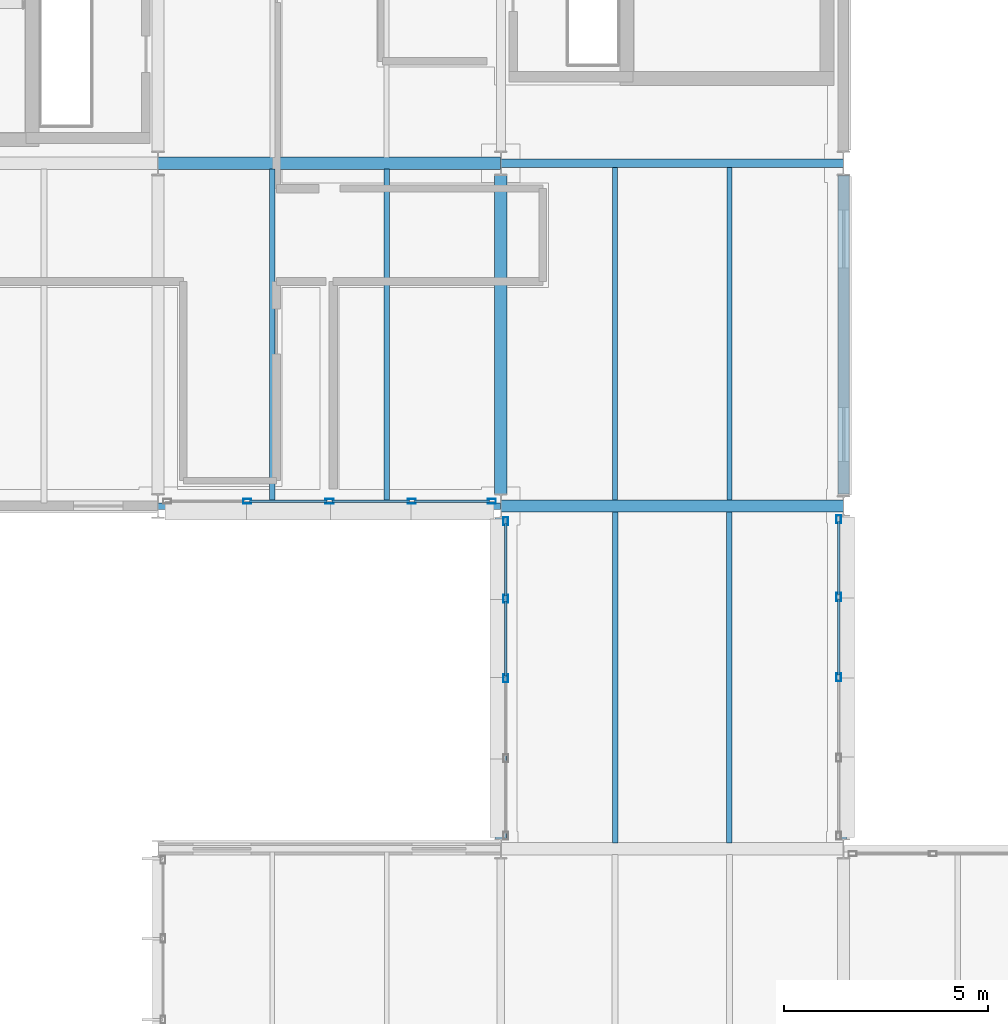
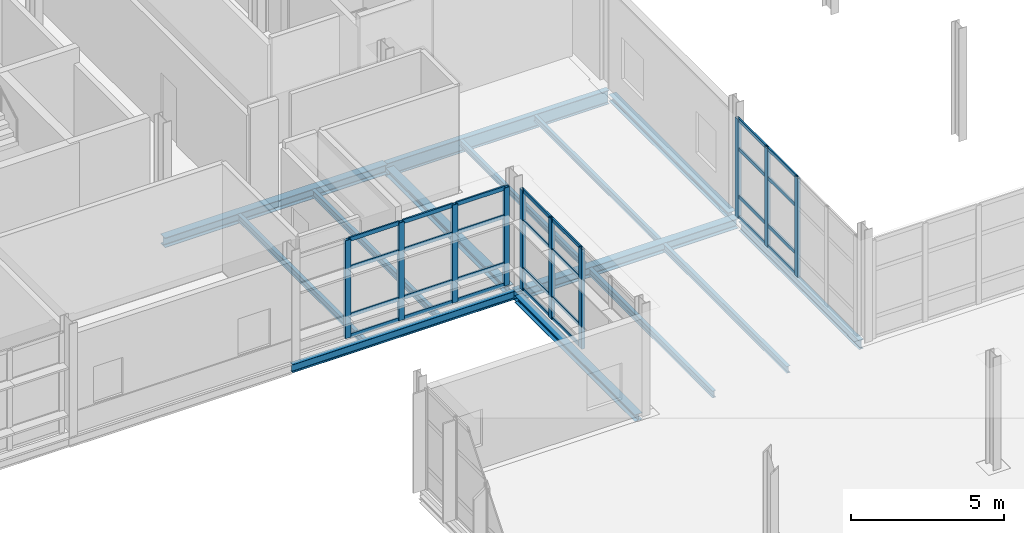
# One storey, part 79 of 129: 38 members, 14 beams, 3 elements without a shape of their own.
"""IFC4 building model written with IfcOpenShell, lengths in metres."""

from ifc_helpers import new_model, si_unit, direction, frame, origin, origin_2d, place, context, subcontext, project, spatial, hollow_rectangle, i_section, extrude, material, material_profile, profile_set, type_object, element, aggregate, save


model = new_model("IFC4")

# Units and contexts
model_context = context("Model", 3, precision=1e-05, world=origin(), true_north=direction((0.0, 1.0)))
body_context = subcontext(model_context, "Body", "Model", "MODEL_VIEW")
ifc_project = project(units=[si_unit("LENGTHUNIT", "METRE"), si_unit("AREAUNIT", "SQUARE_METRE"), si_unit("VOLUMEUNIT", "CUBIC_METRE"), si_unit("PLANEANGLEUNIT", "RADIAN"), si_unit("MASSUNIT", "GRAM", prefix="KILO")], contexts=[model_context])

# Site, building, storey
site_placement = place(None, origin())
site = spatial("IfcSite", under=ifc_project, at=site_placement, CompositionType="ELEMENT")
building_placement = place(site_placement, origin())
building = spatial("IfcBuilding", under=site, at=building_placement, Name="Mersafa Astral City Hall", CompositionType="ELEMENT")
storey_placement = place(building_placement, frame((0.0, 0.0, 5.39990234375)))
storey = spatial("IfcBuildingStorey", under=building, at=storey_placement, Name="L01", CompositionType="ELEMENT", Elevation=5.39990234375)

# Curtain wall, members
ifc_material_1 = material(Name="Anodised bronze aluminium framing", Category="aluminium")
curtain_wall_type_1 = type_object("IfcCurtainWallType", Name="ENV-CW-5", PredefinedType="USERDEFINED", material=ifc_material_1)
curtain_wall_1_placement = place(storey_placement, origin())
curtain_wall_1 = element("IfcCurtainWall", 1, at=curtain_wall_1_placement, inside=storey, type_object=curtain_wall_type_1, Name="L01 Unitised solar curtain wall 64", ObjectType="UNITISED CURTAIN WALL", PredefinedType="USERDEFINED")
ifc_material_profile_1 = material_profile(ifc_material_1, hollow_rectangle(XDim=0.1201171875, YDim=0.199951171875, WallThickness=0.008056640625, at=origin_2d()), Name="RHS 120x200x8")
ifc_profile_set_1 = profile_set([ifc_material_profile_1], Name="Anodised bronze aluminium framing")
member_type_1 = type_object("IfcMemberType", Name="ENV-CW-MUL-2", PredefinedType="MULLION", material=ifc_profile_set_1)
member_1_placement = place(storey_placement, frame((161.781005859375, 100.919921875, -0.001953125), z_axis=(0.0, 0.0, 1.0), x_axis=(0.0, 1.0, 0.0)))
member_1 = element("IfcMember", 2, at=member_1_placement, type_object=member_type_1, Name="CW-5 mullion 2", PredefinedType="MULLION", context=body_context, shape_type="SweptSolid", body=[
    extrude(hollow_rectangle(XDim=0.1201171875, YDim=0.199951171875, WallThickness=0.008056640625, at=origin_2d()), origin(), (0.0, 0.0, 1.0), 3.908935546875),
])
member_2_placement = place(storey_placement, frame((163.800048828125, 100.919921875, -0.001953125), z_axis=(0.0, 0.0, 1.0), x_axis=(0.0, 1.0, 0.0)))
member_2 = element("IfcMember", 3, at=member_2_placement, type_object=member_type_1, Name="CW-5 mullion 3", PredefinedType="MULLION", context=body_context, shape_type="SweptSolid", body=[
    extrude(hollow_rectangle(XDim=0.1201171875, YDim=0.199951171875, WallThickness=0.008056640625, at=origin_2d()), origin(), (0.0, 0.0, 1.0), 3.908935546875),
])
member_3_placement = place(storey_placement, frame((165.819091796875, 100.919921875, -0.001953125), z_axis=(0.0, 0.0, 1.0), x_axis=(0.0, 1.0, 0.0)))
member_3 = element("IfcMember", 4, at=member_3_placement, type_object=member_type_1, Name="CW-5 mullion 4", PredefinedType="MULLION", context=body_context, shape_type="SweptSolid", body=[
    extrude(hollow_rectangle(XDim=0.1201171875, YDim=0.199951171875, WallThickness=0.008056640625, at=origin_2d()), origin(), (0.0, 0.0, 1.0), 3.908935546875),
])
member_4_placement = place(storey_placement, frame((167.778076171875, 100.919921875, -0.001953125), z_axis=(0.0, 0.0, 1.0), x_axis=(0.0, 1.0, 0.0)))
member_4 = element("IfcMember", 5, at=member_4_placement, type_object=member_type_1, Name="CW-5 mullion 5", PredefinedType="MULLION", context=body_context, shape_type="SweptSolid", body=[
    extrude(hollow_rectangle(XDim=0.1201171875, YDim=0.199951171875, WallThickness=0.008056640625, at=origin_2d()), origin(), (0.0, 0.0, 1.0), 3.908935546875),
])

curtain_wall_type_2 = type_object("IfcCurtainWallType", Name="ENV-CW-6", PredefinedType="USERDEFINED", material=ifc_material_1)
curtain_wall_2_placement = place(storey_placement, origin())
curtain_wall_2 = element("IfcCurtainWall", 6, at=curtain_wall_2_placement, inside=storey, type_object=curtain_wall_type_2, Name="L01 Unitised solar curtain wall 65", ObjectType="UNITISED CURTAIN WALL", PredefinedType="USERDEFINED")
member_5_placement = place(storey_placement, frame((168.1201171875, 100.427978515625, -0.001953125), z_axis=(0.0, 0.0, 1.0), x_axis=(1.0, 0.0, 0.0)))
member_5 = element("IfcMember", 7, at=member_5_placement, type_object=member_type_1, Name="CW-6 mullion 1", PredefinedType="MULLION", context=body_context, shape_type="SweptSolid", body=[
    extrude(hollow_rectangle(XDim=0.1201171875, YDim=0.199951171875, WallThickness=0.008056640625, at=origin_2d()), origin(), (0.0, 0.0, 1.0), 3.989013671875),
])
member_6_placement = place(storey_placement, frame((168.1201171875, 98.531494140625, -0.001953125), z_axis=(0.0, 0.0, 1.0), x_axis=(1.0, 0.0, 0.0)))
member_6 = element("IfcMember", 8, at=member_6_placement, type_object=member_type_1, Name="CW-6 mullion 2", PredefinedType="MULLION", context=body_context, shape_type="SweptSolid", body=[
    extrude(hollow_rectangle(XDim=0.1201171875, YDim=0.199951171875, WallThickness=0.008056640625, at=origin_2d()), origin(), (0.0, 0.0, 1.0), 3.989013671875),
])
member_7_placement = place(storey_placement, frame((168.1201171875, 96.574951171875, -0.001953125), z_axis=(0.0, 0.0, 1.0), x_axis=(1.0, 0.0, 0.0)))
member_7 = element("IfcMember", 9, at=member_7_placement, type_object=member_type_1, Name="CW-6 mullion 3", PredefinedType="MULLION", context=body_context, shape_type="SweptSolid", body=[
    extrude(hollow_rectangle(XDim=0.1201171875, YDim=0.199951171875, WallThickness=0.008056640625, at=origin_2d()), origin(), (0.0, 0.0, 1.0), 3.989013671875),
])

curtain_wall_type_3 = type_object("IfcCurtainWallType", Name="ENV-CW-4", PredefinedType="USERDEFINED", material=ifc_material_1)
curtain_wall_3_placement = place(storey_placement, origin())
curtain_wall_3 = element("IfcCurtainWall", 10, at=curtain_wall_3_placement, inside=storey, type_object=curtain_wall_type_3, Name="L01 Unitised solar curtain wall 75", ObjectType="UNITISED CURTAIN WALL", PredefinedType="USERDEFINED")
member_8_placement = place(storey_placement, frame((176.280029296875, 96.60009765625, -0.001953125), z_axis=(0.0, 0.0, 1.0), x_axis=(-1.0, 0.0, 0.0)))
member_8 = element("IfcMember", 11, at=member_8_placement, type_object=member_type_1, Name="CW-4 mullion 3", PredefinedType="MULLION", context=body_context, shape_type="SweptSolid", body=[
    extrude(hollow_rectangle(XDim=0.1201171875, YDim=0.199951171875, WallThickness=0.008056640625, at=origin_2d()), origin(), (0.0, 0.0, 1.0), 3.93896484375),
])
member_9_placement = place(storey_placement, frame((176.280029296875, 98.569091796875, -0.001953125), z_axis=(0.0, 0.0, 1.0), x_axis=(-1.0, 0.0, 0.0)))
member_9 = element("IfcMember", 12, at=member_9_placement, type_object=member_type_1, Name="CW-4 mullion 4", PredefinedType="MULLION", context=body_context, shape_type="SweptSolid", body=[
    extrude(hollow_rectangle(XDim=0.1201171875, YDim=0.199951171875, WallThickness=0.008056640625, at=origin_2d()), origin(), (0.0, 0.0, 1.0), 3.93896484375),
])
member_10_placement = place(storey_placement, frame((176.280029296875, 100.47802734375, -0.001953125), z_axis=(0.0, 0.0, 1.0), x_axis=(-1.0, 0.0, 0.0)))
member_10 = element("IfcMember", 13, at=member_10_placement, type_object=member_type_1, Name="CW-4 mullion 5", PredefinedType="MULLION", context=body_context, shape_type="SweptSolid", body=[
    extrude(hollow_rectangle(XDim=0.1201171875, YDim=0.199951171875, WallThickness=0.008056640625, at=origin_2d()), origin(), (0.0, 0.0, 1.0), 3.93896484375),
])

# Member
ifc_material_profile_2 = material_profile(ifc_material_1, hollow_rectangle(XDim=0.06005859375, YDim=0.139892578125, WallThickness=0.00390625, at=origin_2d()), Name="RHS 60x140x4")
ifc_profile_set_2 = profile_set([ifc_material_profile_2], Name="Anodised bronze aluminium framing")
member_type_2 = type_object("IfcMemberType", Name="ENV-CW-TRN-1", PredefinedType="USERDEFINED", material=ifc_profile_set_2)
member_11_placement = place(storey_placement, frame((168.1201171875, 100.367919921875, 0.028076171875), z_axis=(0.0, -1.0, 0.0), x_axis=(1.0, 0.0, 0.0)))
member_11 = element("IfcMember", 14, at=member_11_placement, type_object=member_type_2, Name="CW-6 transom 1.1", ObjectType="TRANSOM", PredefinedType="USERDEFINED", context=body_context, shape_type="SweptSolid", body=[
    extrude(hollow_rectangle(XDim=0.06005859375, YDim=0.139892578125, WallThickness=0.00390625, at=origin_2d()), origin(), (0.0, 0.0, 1.0), 1.7763671875),
])

member_12_placement = place(storey_placement, frame((168.1201171875, 100.367919921875, 0.85009765625), z_axis=(0.0, -1.0, 0.0), x_axis=(1.0, 0.0, 0.0)))
member_12 = element("IfcMember", 15, at=member_12_placement, type_object=member_type_2, Name="CW-6 transom 1.2", ObjectType="TRANSOM", PredefinedType="USERDEFINED", context=body_context, shape_type="SweptSolid", body=[
    extrude(hollow_rectangle(XDim=0.06005859375, YDim=0.139892578125, WallThickness=0.00390625, at=origin_2d()), origin(), (0.0, 0.0, 1.0), 1.7763671875),
])

member_13_placement = place(storey_placement, frame((168.1201171875, 100.367919921875, 2.75), z_axis=(0.0, -1.0, 0.0), x_axis=(1.0, 0.0, 0.0)))
member_13 = element("IfcMember", 16, at=member_13_placement, type_object=member_type_2, Name="CW-6 transom 1.3", ObjectType="TRANSOM", PredefinedType="USERDEFINED", context=body_context, shape_type="SweptSolid", body=[
    extrude(hollow_rectangle(XDim=0.06005859375, YDim=0.139892578125, WallThickness=0.00390625, at=origin_2d()), origin(), (0.0, 0.0, 1.0), 1.7763671875),
])

member_14_placement = place(storey_placement, frame((168.1201171875, 100.367919921875, 3.95703125), z_axis=(0.0, -1.0, 0.0), x_axis=(1.0, 0.0, 0.0)))
member_14 = element("IfcMember", 17, at=member_14_placement, type_object=member_type_2, Name="CW-6 transom 1.4", ObjectType="TRANSOM", PredefinedType="USERDEFINED", context=body_context, shape_type="SweptSolid", body=[
    extrude(hollow_rectangle(XDim=0.06005859375, YDim=0.139892578125, WallThickness=0.00390625, at=origin_2d()), origin(), (0.0, 0.0, 1.0), 1.7763671875),
])

member_15_placement = place(storey_placement, frame((168.1201171875, 98.471435546875, 0.028076171875), z_axis=(0.0, -1.0, 0.0), x_axis=(1.0, 0.0, 0.0)))
member_15 = element("IfcMember", 18, at=member_15_placement, type_object=member_type_2, Name="CW-6 transom 2.1", ObjectType="TRANSOM", PredefinedType="USERDEFINED", context=body_context, shape_type="SweptSolid", body=[
    extrude(hollow_rectangle(XDim=0.06005859375, YDim=0.139892578125, WallThickness=0.00390625, at=origin_2d()), origin(), (0.0, 0.0, 1.0), 1.83642578125),
])

member_16_placement = place(storey_placement, frame((168.1201171875, 98.471435546875, 0.85009765625), z_axis=(0.0, -1.0, 0.0), x_axis=(1.0, 0.0, 0.0)))
member_16 = element("IfcMember", 19, at=member_16_placement, type_object=member_type_2, Name="CW-6 transom 2.2", ObjectType="TRANSOM", PredefinedType="USERDEFINED", context=body_context, shape_type="SweptSolid", body=[
    extrude(hollow_rectangle(XDim=0.06005859375, YDim=0.139892578125, WallThickness=0.00390625, at=origin_2d()), origin(), (0.0, 0.0, 1.0), 1.83642578125),
])

member_17_placement = place(storey_placement, frame((168.1201171875, 98.471435546875, 2.75), z_axis=(0.0, -1.0, 0.0), x_axis=(1.0, 0.0, 0.0)))
member_17 = element("IfcMember", 20, at=member_17_placement, type_object=member_type_2, Name="CW-6 transom 2.3", ObjectType="TRANSOM", PredefinedType="USERDEFINED", context=body_context, shape_type="SweptSolid", body=[
    extrude(hollow_rectangle(XDim=0.06005859375, YDim=0.139892578125, WallThickness=0.00390625, at=origin_2d()), origin(), (0.0, 0.0, 1.0), 1.83642578125),
])

member_18_placement = place(storey_placement, frame((168.1201171875, 98.471435546875, 3.95703125), z_axis=(0.0, -1.0, 0.0), x_axis=(1.0, 0.0, 0.0)))
member_18 = element("IfcMember", 21, at=member_18_placement, type_object=member_type_2, Name="CW-6 transom 2.4", ObjectType="TRANSOM", PredefinedType="USERDEFINED", context=body_context, shape_type="SweptSolid", body=[
    extrude(hollow_rectangle(XDim=0.06005859375, YDim=0.139892578125, WallThickness=0.00390625, at=origin_2d()), origin(), (0.0, 0.0, 1.0), 1.83642578125),
])

aggregate(curtain_wall_2, [member_5, member_6, member_7, member_11, member_12, member_13, member_14, member_15, member_16, member_17, member_18])

member_19_placement = place(storey_placement, frame((176.280029296875, 96.659912109375, 0.028076171875), z_axis=(0.0, 1.0, 0.0), x_axis=(-1.0, 0.0, 0.0)))
member_19 = element("IfcMember", 22, at=member_19_placement, type_object=member_type_2, Name="CW-4 transom 3.1", ObjectType="TRANSOM", PredefinedType="USERDEFINED", context=body_context, shape_type="SweptSolid", body=[
    extrude(hollow_rectangle(XDim=0.06005859375, YDim=0.139892578125, WallThickness=0.00390625, at=origin_2d()), origin(), (0.0, 0.0, 1.0), 1.84912109375),
])

member_20_placement = place(storey_placement, frame((176.280029296875, 96.659912109375, 0.85009765625), z_axis=(0.0, 1.0, 0.0), x_axis=(-1.0, 0.0, 0.0)))
member_20 = element("IfcMember", 23, at=member_20_placement, type_object=member_type_2, Name="CW-4 transom 3.2", ObjectType="TRANSOM", PredefinedType="USERDEFINED", context=body_context, shape_type="SweptSolid", body=[
    extrude(hollow_rectangle(XDim=0.06005859375, YDim=0.139892578125, WallThickness=0.00390625, at=origin_2d()), origin(), (0.0, 0.0, 1.0), 1.84912109375),
])

member_21_placement = place(storey_placement, frame((176.280029296875, 96.659912109375, 2.75), z_axis=(0.0, 1.0, 0.0), x_axis=(-1.0, 0.0, 0.0)))
member_21 = element("IfcMember", 24, at=member_21_placement, type_object=member_type_2, Name="CW-4 transom 3.3", ObjectType="TRANSOM", PredefinedType="USERDEFINED", context=body_context, shape_type="SweptSolid", body=[
    extrude(hollow_rectangle(XDim=0.06005859375, YDim=0.139892578125, WallThickness=0.00390625, at=origin_2d()), origin(), (0.0, 0.0, 1.0), 1.84912109375),
])

member_22_placement = place(storey_placement, frame((176.280029296875, 96.659912109375, 3.906982421875), z_axis=(0.0, 1.0, 0.0), x_axis=(-1.0, 0.0, 0.0)))
member_22 = element("IfcMember", 25, at=member_22_placement, type_object=member_type_2, Name="CW-4 transom 3.4", ObjectType="TRANSOM", PredefinedType="USERDEFINED", context=body_context, shape_type="SweptSolid", body=[
    extrude(hollow_rectangle(XDim=0.06005859375, YDim=0.139892578125, WallThickness=0.00390625, at=origin_2d()), origin(), (0.0, 0.0, 1.0), 1.84912109375),
])

member_23_placement = place(storey_placement, frame((176.280029296875, 98.62890625, 0.028076171875), z_axis=(0.0, 1.0, 0.0), x_axis=(-1.0, 0.0, 0.0)))
member_23 = element("IfcMember", 26, at=member_23_placement, type_object=member_type_2, Name="CW-4 transom 4.1", ObjectType="TRANSOM", PredefinedType="USERDEFINED", context=body_context, shape_type="SweptSolid", body=[
    extrude(hollow_rectangle(XDim=0.06005859375, YDim=0.139892578125, WallThickness=0.00390625, at=origin_2d()), origin(), (0.0, 0.0, 1.0), 1.7890625),
])

member_24_placement = place(storey_placement, frame((176.280029296875, 98.62890625, 0.85009765625), z_axis=(0.0, 1.0, 0.0), x_axis=(-1.0, 0.0, 0.0)))
member_24 = element("IfcMember", 27, at=member_24_placement, type_object=member_type_2, Name="CW-4 transom 4.2", ObjectType="TRANSOM", PredefinedType="USERDEFINED", context=body_context, shape_type="SweptSolid", body=[
    extrude(hollow_rectangle(XDim=0.06005859375, YDim=0.139892578125, WallThickness=0.00390625, at=origin_2d()), origin(), (0.0, 0.0, 1.0), 1.7890625),
])

member_25_placement = place(storey_placement, frame((176.280029296875, 98.62890625, 2.75), z_axis=(0.0, 1.0, 0.0), x_axis=(-1.0, 0.0, 0.0)))
member_25 = element("IfcMember", 28, at=member_25_placement, type_object=member_type_2, Name="CW-4 transom 4.3", ObjectType="TRANSOM", PredefinedType="USERDEFINED", context=body_context, shape_type="SweptSolid", body=[
    extrude(hollow_rectangle(XDim=0.06005859375, YDim=0.139892578125, WallThickness=0.00390625, at=origin_2d()), origin(), (0.0, 0.0, 1.0), 1.7890625),
])

member_26_placement = place(storey_placement, frame((176.280029296875, 98.62890625, 3.906982421875), z_axis=(0.0, 1.0, 0.0), x_axis=(-1.0, 0.0, 0.0)))
member_26 = element("IfcMember", 29, at=member_26_placement, type_object=member_type_2, Name="CW-4 transom 4.4", ObjectType="TRANSOM", PredefinedType="USERDEFINED", context=body_context, shape_type="SweptSolid", body=[
    extrude(hollow_rectangle(XDim=0.06005859375, YDim=0.139892578125, WallThickness=0.00390625, at=origin_2d()), origin(), (0.0, 0.0, 1.0), 1.7890625),
])

aggregate(curtain_wall_3, [member_8, member_9, member_10, member_19, member_20, member_21, member_22, member_23, member_24, member_25, member_26])

ifc_material_profile_3 = material_profile(ifc_material_1, hollow_rectangle(XDim=0.06005859375, YDim=0.159912109375, WallThickness=0.00390625, at=origin_2d()), Name="RHS 60x160x4")
ifc_profile_set_3 = profile_set([ifc_material_profile_3], Name="Anodised bronze aluminium framing")
member_type_3 = type_object("IfcMemberType", Name="ENV-CW-TRN-2", PredefinedType="USERDEFINED", material=ifc_profile_set_3)
member_27_placement = place(storey_placement, frame((161.841064453125, 100.919921875, 0.028076171875), z_axis=(1.0, 0.0, 0.0), x_axis=(0.0, 1.0, 0.0)))
member_27 = element("IfcMember", 30, at=member_27_placement, type_object=member_type_3, Name="CW-5 transom 2.1", ObjectType="TRANSOM", PredefinedType="USERDEFINED", context=body_context, shape_type="SweptSolid", body=[
    extrude(hollow_rectangle(XDim=0.06005859375, YDim=0.159912109375, WallThickness=0.00390625, at=origin_2d()), origin(), (0.0, 0.0, 1.0), 1.89892578125),
])

member_28_placement = place(storey_placement, frame((161.841064453125, 100.919921875, 0.85009765625), z_axis=(1.0, 0.0, 0.0), x_axis=(0.0, 1.0, 0.0)))
member_28 = element("IfcMember", 31, at=member_28_placement, type_object=member_type_3, Name="CW-5 transom 2.2", ObjectType="TRANSOM", PredefinedType="USERDEFINED", context=body_context, shape_type="SweptSolid", body=[
    extrude(hollow_rectangle(XDim=0.06005859375, YDim=0.159912109375, WallThickness=0.00390625, at=origin_2d()), origin(), (0.0, 0.0, 1.0), 1.89892578125),
])

member_29_placement = place(storey_placement, frame((161.841064453125, 100.919921875, 2.75), z_axis=(1.0, 0.0, 0.0), x_axis=(0.0, 1.0, 0.0)))
member_29 = element("IfcMember", 32, at=member_29_placement, type_object=member_type_3, Name="CW-5 transom 2.3", ObjectType="TRANSOM", PredefinedType="USERDEFINED", context=body_context, shape_type="SweptSolid", body=[
    extrude(hollow_rectangle(XDim=0.06005859375, YDim=0.159912109375, WallThickness=0.00390625, at=origin_2d()), origin(), (0.0, 0.0, 1.0), 1.89892578125),
])

member_30_placement = place(storey_placement, frame((161.841064453125, 100.919921875, 3.877197265625), z_axis=(1.0, 0.0, 0.0), x_axis=(0.0, 1.0, 0.0)))
member_30 = element("IfcMember", 33, at=member_30_placement, type_object=member_type_3, Name="CW-5 transom 2.4", ObjectType="TRANSOM", PredefinedType="USERDEFINED", context=body_context, shape_type="SweptSolid", body=[
    extrude(hollow_rectangle(XDim=0.06005859375, YDim=0.159912109375, WallThickness=0.00390625, at=origin_2d()), origin(), (0.0, 0.0, 1.0), 1.89892578125),
])

member_31_placement = place(storey_placement, frame((163.860107421875, 100.919921875, 0.028076171875), z_axis=(1.0, 0.0, 0.0), x_axis=(0.0, 1.0, 0.0)))
member_31 = element("IfcMember", 34, at=member_31_placement, type_object=member_type_3, Name="CW-5 transom 3.1", ObjectType="TRANSOM", PredefinedType="USERDEFINED", context=body_context, shape_type="SweptSolid", body=[
    extrude(hollow_rectangle(XDim=0.06005859375, YDim=0.159912109375, WallThickness=0.00390625, at=origin_2d()), origin(), (0.0, 0.0, 1.0), 1.89892578125),
])

member_32_placement = place(storey_placement, frame((163.860107421875, 100.919921875, 0.85009765625), z_axis=(1.0, 0.0, 0.0), x_axis=(0.0, 1.0, 0.0)))
member_32 = element("IfcMember", 35, at=member_32_placement, type_object=member_type_3, Name="CW-5 transom 3.2", ObjectType="TRANSOM", PredefinedType="USERDEFINED", context=body_context, shape_type="SweptSolid", body=[
    extrude(hollow_rectangle(XDim=0.06005859375, YDim=0.159912109375, WallThickness=0.00390625, at=origin_2d()), origin(), (0.0, 0.0, 1.0), 1.89892578125),
])

member_33_placement = place(storey_placement, frame((163.860107421875, 100.919921875, 2.75), z_axis=(1.0, 0.0, 0.0), x_axis=(0.0, 1.0, 0.0)))
member_33 = element("IfcMember", 36, at=member_33_placement, type_object=member_type_3, Name="CW-5 transom 3.3", ObjectType="TRANSOM", PredefinedType="USERDEFINED", context=body_context, shape_type="SweptSolid", body=[
    extrude(hollow_rectangle(XDim=0.06005859375, YDim=0.159912109375, WallThickness=0.00390625, at=origin_2d()), origin(), (0.0, 0.0, 1.0), 1.89892578125),
])

member_34_placement = place(storey_placement, frame((163.860107421875, 100.919921875, 3.877197265625), z_axis=(1.0, 0.0, 0.0), x_axis=(0.0, 1.0, 0.0)))
member_34 = element("IfcMember", 37, at=member_34_placement, type_object=member_type_3, Name="CW-5 transom 3.4", ObjectType="TRANSOM", PredefinedType="USERDEFINED", context=body_context, shape_type="SweptSolid", body=[
    extrude(hollow_rectangle(XDim=0.06005859375, YDim=0.159912109375, WallThickness=0.00390625, at=origin_2d()), origin(), (0.0, 0.0, 1.0), 1.89892578125),
])

member_35_placement = place(storey_placement, frame((165.87890625, 100.919921875, 0.028076171875), z_axis=(1.0, 0.0, 0.0), x_axis=(0.0, 1.0, 0.0)))
member_35 = element("IfcMember", 38, at=member_35_placement, type_object=member_type_3, Name="CW-5 transom 4.1", ObjectType="TRANSOM", PredefinedType="USERDEFINED", context=body_context, shape_type="SweptSolid", body=[
    extrude(hollow_rectangle(XDim=0.06005859375, YDim=0.159912109375, WallThickness=0.00390625, at=origin_2d()), origin(), (0.0, 0.0, 1.0), 1.839111328125),
])

member_36_placement = place(storey_placement, frame((165.87890625, 100.919921875, 0.85009765625), z_axis=(1.0, 0.0, 0.0), x_axis=(0.0, 1.0, 0.0)))
member_36 = element("IfcMember", 39, at=member_36_placement, type_object=member_type_3, Name="CW-5 transom 4.2", ObjectType="TRANSOM", PredefinedType="USERDEFINED", context=body_context, shape_type="SweptSolid", body=[
    extrude(hollow_rectangle(XDim=0.06005859375, YDim=0.159912109375, WallThickness=0.00390625, at=origin_2d()), origin(), (0.0, 0.0, 1.0), 1.839111328125),
])

member_37_placement = place(storey_placement, frame((165.87890625, 100.919921875, 2.75), z_axis=(1.0, 0.0, 0.0), x_axis=(0.0, 1.0, 0.0)))
member_37 = element("IfcMember", 40, at=member_37_placement, type_object=member_type_3, Name="CW-5 transom 4.3", ObjectType="TRANSOM", PredefinedType="USERDEFINED", context=body_context, shape_type="SweptSolid", body=[
    extrude(hollow_rectangle(XDim=0.06005859375, YDim=0.159912109375, WallThickness=0.00390625, at=origin_2d()), origin(), (0.0, 0.0, 1.0), 1.839111328125),
])

member_38_placement = place(storey_placement, frame((165.87890625, 100.919921875, 3.877197265625), z_axis=(1.0, 0.0, 0.0), x_axis=(0.0, 1.0, 0.0)))
member_38 = element("IfcMember", 41, at=member_38_placement, type_object=member_type_3, Name="CW-5 transom 4.4", ObjectType="TRANSOM", PredefinedType="USERDEFINED", context=body_context, shape_type="SweptSolid", body=[
    extrude(hollow_rectangle(XDim=0.06005859375, YDim=0.159912109375, WallThickness=0.00390625, at=origin_2d()), origin(), (0.0, 0.0, 1.0), 1.839111328125),
])

aggregate(curtain_wall_1, [member_1, member_2, member_3, member_4, member_27, member_28, member_29, member_30, member_31, member_32, member_33, member_34, member_35, member_36, member_37, member_38])

# Beams
ifc_material_2 = material(Name="Steel S355", Category="steel")
ifc_material_profile_4 = material_profile(ifc_material_2, i_section(OverallWidth=0.300048828125, OverallDepth=0.31005859375, WebThickness=0.009033203125, FlangeThickness=0.015380859375, FilletRadius=0.027099609375, at=origin_2d()), Name="HEA 320")
ifc_profile_set_4 = profile_set([ifc_material_profile_4], Name="Steel S355")
beam_type_1 = type_object("IfcBeamType", Name="STR-BM-HEA320", PredefinedType="BEAM", material=ifc_profile_set_4)
beam_1_placement = place(storey_placement, frame((168.0, 101.094970703125, -0.3798828125), z_axis=(0.0, 1.0, 0.0), x_axis=(-1.0, 0.0, 0.0)))
element("IfcBeam", 42, at=beam_1_placement, inside=storey, type_object=beam_type_1, Name="L01 Primary girder Y 20-12", PredefinedType="BEAM", context=body_context, shape_type="SweptSolid", body=[
    extrude(i_section(OverallWidth=0.300048828125, OverallDepth=0.31005859375, WebThickness=0.009033203125, FlangeThickness=0.015380859375, FilletRadius=0.027099609375, at=origin_2d()), origin(), (0.0, 0.0, 1.0), 7.81005859375),
])
ifc_material_profile_5 = material_profile(ifc_material_2, i_section(OverallWidth=0.300048828125, OverallDepth=0.389892578125, WebThickness=0.010986328125, FlangeThickness=0.01904296875, FilletRadius=0.027099609375, at=origin_2d()), Name="HEA 400")
ifc_profile_set_5 = profile_set([ifc_material_profile_5], Name="Steel S355")
beam_type_2 = type_object("IfcBeamType", Name="STR-BM-HEA400", PredefinedType="BEAM", material=ifc_profile_set_5)
for number, where, z_axis, x_axis, name in (
    (43, (168.0029296875, 100.800048828125, -0.419921875), (1.0, 0.0, 0.0), (0.0, 1.0, 0.0), "L01 Primary girder X 20-12"),
    (44, (159.60302734375, 109.199951171875, -0.419921875), (1.0, 0.0, 0.0), (0.0, 1.0, 0.0), "L01 Primary girder X 19-13"),
):
    element("IfcBeam", number, at=place(storey_placement, frame(where, z_axis=z_axis, x_axis=x_axis)), inside=storey, type_object=beam_type_2, Name=name, PredefinedType="BEAM", context=body_context, shape_type="SweptSolid", body=[
        extrude(i_section(OverallWidth=0.300048828125, OverallDepth=0.389892578125, WebThickness=0.010986328125, FlangeThickness=0.01904296875, FilletRadius=0.027099609375, at=origin_2d()), origin(), (0.0, 0.0, 1.0), 8.39404296875),
    ])
ifc_material_profile_6 = material_profile(ifc_material_2, i_section(OverallWidth=0.2099609375, OverallDepth=0.550048828125, WebThickness=0.010986328125, FlangeThickness=0.01708984375, FilletRadius=0.02392578125, at=origin_2d()), Name="IPE 550")
ifc_profile_set_6 = profile_set([ifc_material_profile_6], Name="Steel S355")
beam_type_3 = type_object("IfcBeamType", Name="STR-BM-IPE550", PredefinedType="BEAM", material=ifc_profile_set_6)
beam_2_placement = place(storey_placement, frame((168.0029296875, 109.199951171875, -0.5), z_axis=(1.0, 0.0, 0.0), x_axis=(0.0, 1.0, 0.0)))
element("IfcBeam", 45, at=beam_2_placement, inside=storey, type_object=beam_type_3, Name="L01 Primary girder X 20-13", PredefinedType="BEAM", context=body_context, shape_type="SweptSolid", body=[
    extrude(i_section(OverallWidth=0.2099609375, OverallDepth=0.550048828125, WebThickness=0.010986328125, FlangeThickness=0.01708984375, FilletRadius=0.02392578125, at=origin_2d()), origin(), (0.0, 0.0, 1.0), 8.39404296875),
])
ifc_material_profile_7 = material_profile(ifc_material_2, i_section(OverallWidth=0.1201171875, OverallDepth=0.239990234375, WebThickness=0.006103515625, FlangeThickness=0.009765625, FilletRadius=0.014892578125, at=origin_2d()), Name="IPE 240")
ifc_profile_set_7 = profile_set([ifc_material_profile_7], Name="Steel S355")
beam_type_4 = type_object("IfcBeamType", Name="STR-BM-JOIST-IPE240", PredefinedType="JOIST", material=ifc_profile_set_7)
for number, where, z_axis, x_axis, name in (
    (46, (170.800048828125, 100.945068359375, -0.344970703125), (0.0, 1.0, 0.0), (-1.0, 0.0, 0.0), "L01 Composite secondary floor joist 387"),
    (47, (173.60009765625, 100.945068359375, -0.344970703125), (0.0, 1.0, 0.0), (-1.0, 0.0, 0.0), "L01 Composite secondary floor joist 388"),
):
    element("IfcBeam", number, at=place(storey_placement, frame(where, z_axis=z_axis, x_axis=x_axis)), inside=storey, type_object=beam_type_4, Name=name, PredefinedType="JOIST", context=body_context, shape_type="SweptSolid", body=[
        extrude(i_section(OverallWidth=0.1201171875, OverallDepth=0.239990234375, WebThickness=0.006103515625, FlangeThickness=0.009765625, FilletRadius=0.014892578125, at=origin_2d()), origin(), (0.0, 0.0, 1.0), 8.155029296875),
    ])
ifc_material_profile_8 = material_profile(ifc_material_2, i_section(OverallWidth=0.135009765625, OverallDepth=0.27001953125, WebThickness=0.006591796875, FlangeThickness=0.01025390625, FilletRadius=0.014892578125, at=origin_2d()), Name="IPE 270")
ifc_profile_set_8 = profile_set([ifc_material_profile_8], Name="Steel S355")
beam_type_5 = type_object("IfcBeamType", Name="STR-BM-JOIST-IPE270", PredefinedType="JOIST", material=ifc_profile_set_8)
for number, where, z_axis, x_axis, name in (
    (48, (162.39990234375, 100.875, -0.35986328125), (0.0, 1.0, 0.0), (-1.0, 0.0, 0.0), "L01 Composite secondary floor joist 370"),
    (49, (165.199951171875, 100.875, -0.35986328125), (0.0, 1.0, 0.0), (-1.0, 0.0, 0.0), "L01 Composite secondary floor joist 371"),
):
    element("IfcBeam", number, at=place(storey_placement, frame(where, z_axis=z_axis, x_axis=x_axis)), inside=storey, type_object=beam_type_5, Name=name, PredefinedType="JOIST", context=body_context, shape_type="SweptSolid", body=[
        extrude(i_section(OverallWidth=0.135009765625, OverallDepth=0.27001953125, WebThickness=0.006591796875, FlangeThickness=0.01025390625, FilletRadius=0.014892578125, at=origin_2d()), origin(), (0.0, 0.0, 1.0), 8.179931640625),
    ])
for number, where, z_axis, x_axis, name in (
    (50, (170.800048828125, 92.544921875, -0.35986328125), (0.0, 1.0, 0.0), (-1.0, 0.0, 0.0), "L01 Composite secondary floor joist 385"),
    (51, (173.60009765625, 92.544921875, -0.35986328125), (0.0, 1.0, 0.0), (-1.0, 0.0, 0.0), "L01 Composite secondary floor joist 386"),
):
    element("IfcBeam", number, at=place(storey_placement, frame(where, z_axis=z_axis, x_axis=x_axis)), inside=storey, type_object=beam_type_5, Name=name, PredefinedType="JOIST", context=body_context, shape_type="SweptSolid", body=[
        extrude(i_section(OverallWidth=0.135009765625, OverallDepth=0.27001953125, WebThickness=0.006591796875, FlangeThickness=0.01025390625, FilletRadius=0.014892578125, at=origin_2d()), origin(), (0.0, 0.0, 1.0), 8.110107421875),
    ])
ifc_material_profile_9 = material_profile(ifc_material_2, i_section(OverallWidth=0.280029296875, OverallDepth=0.27001953125, WebThickness=0.008056640625, FlangeThickness=0.012939453125, FilletRadius=0.02392578125, at=origin_2d()), Name="HEA 280")
ifc_profile_set_9 = profile_set([ifc_material_profile_9], Name="Steel S355")
beam_type_6 = type_object("IfcBeamType", Name="STR-BM-SPANDREL-HEA280", PredefinedType="SPANDREL", material=ifc_profile_set_9)
beam_3_placement = place(storey_placement, frame((168.0, 92.64501953125, -0.35986328125), z_axis=(0.0, 1.0, 0.0), x_axis=(-1.0, 0.0, 0.0)))
element("IfcBeam", 52, at=beam_3_placement, inside=storey, type_object=beam_type_6, Name="L01 Primary girder Y 20-11", PredefinedType="SPANDREL", context=body_context, shape_type="SweptSolid", body=[
    extrude(i_section(OverallWidth=0.280029296875, OverallDepth=0.27001953125, WebThickness=0.008056640625, FlangeThickness=0.012939453125, FilletRadius=0.02392578125, at=origin_2d()), origin(), (0.0, 0.0, 1.0), 7.85986328125),
])
beam_4_placement = place(storey_placement, frame((176.39990234375, 101.094970703125, -0.35986328125), z_axis=(0.0, 1.0, 0.0), x_axis=(-1.0, 0.0, 0.0)))
element("IfcBeam", 53, at=beam_4_placement, inside=storey, type_object=beam_type_6, Name="L01 Primary girder Y 21-12", PredefinedType="SPANDREL", context=body_context, shape_type="SweptSolid", body=[
    extrude(i_section(OverallWidth=0.280029296875, OverallDepth=0.27001953125, WebThickness=0.008056640625, FlangeThickness=0.012939453125, FilletRadius=0.02392578125, at=origin_2d()), origin(), (0.0, 0.0, 1.0), 7.81005859375),
])
ifc_material_profile_10 = material_profile(ifc_material_2, i_section(OverallWidth=0.159912109375, OverallDepth=0.330078125, WebThickness=0.007568359375, FlangeThickness=0.011474609375, FilletRadius=0.01806640625, at=origin_2d()), Name="IPE 330")
ifc_profile_set_10 = profile_set([ifc_material_profile_10], Name="Steel S355")
beam_type_7 = type_object("IfcBeamType", Name="STR-BM-SPANDREL-IPE330", PredefinedType="SPANDREL", material=ifc_profile_set_10)
beam_5_placement = place(storey_placement, frame((159.60302734375, 100.800048828125, -0.389892578125), z_axis=(1.0, 0.0, 0.0), x_axis=(0.0, 1.0, 0.0)))
element("IfcBeam", 54, at=beam_5_placement, inside=storey, type_object=beam_type_7, Name="L01 Primary girder X 19-12", PredefinedType="SPANDREL", context=body_context, shape_type="SweptSolid", body=[
    extrude(i_section(OverallWidth=0.159912109375, OverallDepth=0.330078125, WebThickness=0.007568359375, FlangeThickness=0.011474609375, FilletRadius=0.01806640625, at=origin_2d()), origin(), (0.0, 0.0, 1.0), 8.39404296875),
])
ifc_material_profile_11 = material_profile(ifc_material_2, i_section(OverallWidth=0.169921875, OverallDepth=0.360107421875, WebThickness=0.008056640625, FlangeThickness=0.0126953125, FilletRadius=0.01806640625, at=origin_2d()), Name="IPE 360")
ifc_profile_set_11 = profile_set([ifc_material_profile_11], Name="Steel S355")
beam_type_8 = type_object("IfcBeamType", Name="STR-BM-SPANDREL-IPE360", PredefinedType="SPANDREL", material=ifc_profile_set_11)
beam_6_placement = place(storey_placement, frame((176.39990234375, 92.64501953125, -0.40478515625), z_axis=(0.0, 1.0, 0.0), x_axis=(-1.0, 0.0, 0.0)))
element("IfcBeam", 55, at=beam_6_placement, inside=storey, type_object=beam_type_8, Name="L01 Primary girder Y 21-11", PredefinedType="SPANDREL", context=body_context, shape_type="SweptSolid", body=[
    extrude(i_section(OverallWidth=0.169921875, OverallDepth=0.360107421875, WebThickness=0.008056640625, FlangeThickness=0.0126953125, FilletRadius=0.01806640625, at=origin_2d()), origin(), (0.0, 0.0, 1.0), 7.85986328125),
])

save(model, "model.ifc")
